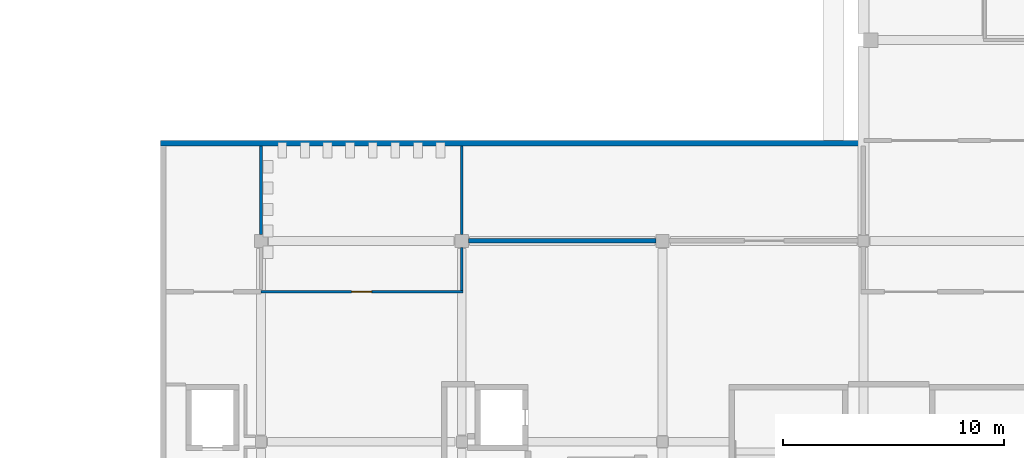
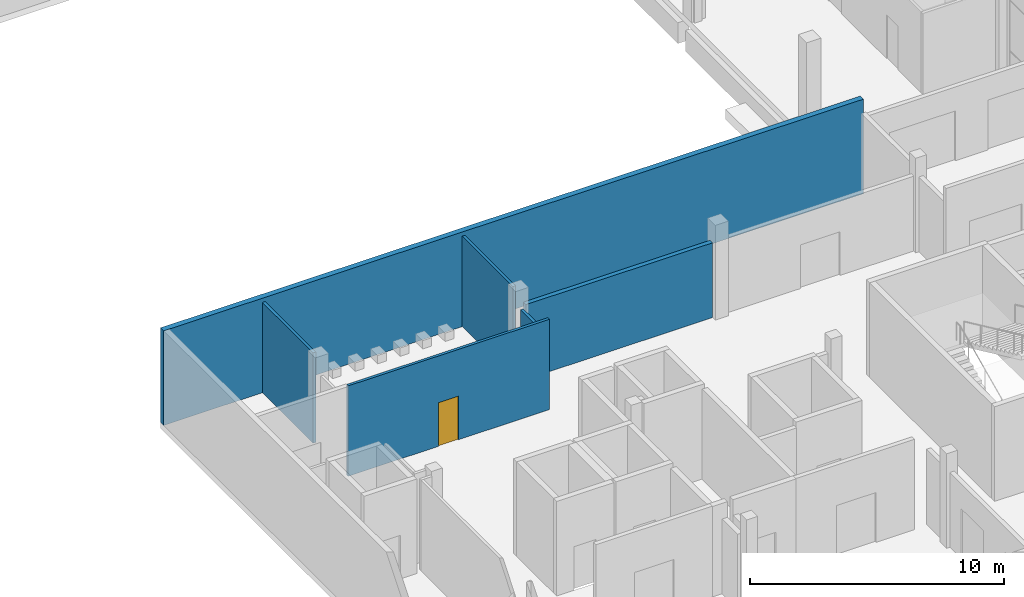
# One storey, part 46 of 91: 6 walls, 1 door, 1 opening.
"""IFC4 building model written with IfcOpenShell, lengths in metres."""

from ifc_helpers import new_model, si_unit, direction, frame, frame_2d, origin, place, context, subcontext, project, spatial, rectangle, extrude, material, layer, layer_set, type_object, element, fill, save


model = new_model("IFC4")

# Units and contexts
model_context = context("Model", 3, precision=1e-05, world=origin(), true_north=direction((0.0, 1.0)))
body_context = subcontext(model_context, "Body", "Model", "MODEL_VIEW")
ifc_project = project(units=[si_unit("LENGTHUNIT", "METRE"), si_unit("AREAUNIT", "SQUARE_METRE"), si_unit("VOLUMEUNIT", "CUBIC_METRE"), si_unit("PLANEANGLEUNIT", "RADIAN"), si_unit("MASSUNIT", "GRAM", prefix="KILO")], contexts=[model_context])

# Site, building, storey
site_placement = place(None, origin())
site = spatial("IfcSite", under=ifc_project, at=site_placement, CompositionType="ELEMENT")
building_placement = place(site_placement, origin())
building = spatial("IfcBuilding", under=site, at=building_placement, Name="Shirokan Park Arena", CompositionType="ELEMENT")
storey_placement = place(building_placement, frame((0.0, 0.0, 24.570068359375)))
storey = spatial("IfcBuildingStorey", under=building, at=storey_placement, Name="L05", CompositionType="ELEMENT", Elevation=24.570068359375)

# Walls
ifc_material_1 = material(Name="Gypsum board")
ifc_layer_1 = layer(ifc_material_1, 0.02490234375, Name="Gypsum board, two layers")
ifc_material_2 = material(Name="Mineral wool insulation")
ifc_layer_2 = layer(ifc_material_2, 0.14990234375, Name="Mineral wool insulation")
ifc_layer_3 = layer(ifc_material_1, 0.02490234375, Name="Gypsum board, two layers")
ifc_layer_set_1 = layer_set([ifc_layer_1, ifc_layer_2, ifc_layer_3], Name="Gypsum board, two layers + Mineral wool insulation")
wall_type_1 = type_object("IfcWallType", Name="Corridor wall 200", PredefinedType="PARTITIONING", material=ifc_layer_set_1)
wall_1_placement = place(storey_placement, frame((127.10009765625, 36.39990234375, 0.0), z_axis=(0.0, 0.0, 1.0), x_axis=(-1.0, 0.0, 0.0)))
element("IfcWall", 1, at=wall_1_placement, inside=storey, type_object=wall_type_1, Name="Corridor wall 200 L05", PredefinedType="PARTITIONING", context=body_context, shape_type="SweptSolid", body=[
    extrude(rectangle(XDim=8.5, YDim=0.199951171875, at=frame_2d((4.25, 0.0))), origin(), (0.0, 0.0, 1.0), 3.599853515625),
])
ifc_material_3 = material(Name="Concrete C35", Category="concrete")
ifc_layer_4 = layer(ifc_material_3, 0.25)
ifc_layer_set_2 = layer_set([ifc_layer_4], Name="Concrete C35 250 mm")
wall_type_2 = type_object("IfcWallType", Name="RC flank wall 250", PredefinedType="SHEAR", material=ifc_layer_set_2)
wall_2_placement = place(storey_placement, frame((104.64990234375, 40.824951171875, 0.0), z_axis=(0.0, 0.0, 1.0), x_axis=(1.0, 0.0, 0.0)))
element("IfcWall", 2, at=wall_2_placement, inside=storey, type_object=wall_type_2, Name="Flank wall E1 L05", PredefinedType="SHEAR", context=body_context, shape_type="SweptSolid", body=[
    extrude(rectangle(XDim=31.85009765625, YDim=0.25, at=frame_2d((15.925048828125, 0.0))), origin(), (0.0, 0.0, 1.0), 4.550048828125),
])
ifc_material_4 = material(Name="Ceramic tile")
ifc_layer_5 = layer(ifc_material_4, 0.010009765625, Name="Ceramic tile")
ifc_material_5 = material(Name="Cement board")
ifc_layer_6 = layer(ifc_material_5, 0.012451171875, Name="Cement board")
ifc_layer_7 = layer(ifc_material_2, 0.080078125, Name="Mineral wool insulation")
ifc_layer_8 = layer(ifc_material_5, 0.012451171875, Name="Cement board")
ifc_layer_9 = layer(ifc_material_4, 0.010009765625, Name="Ceramic tile")
ifc_layer_set_3 = layer_set([ifc_layer_5, ifc_layer_6, ifc_layer_7, ifc_layer_8, ifc_layer_9], Name="Ceramic tile + Cement board + Mineral wool insulation")
wall_type_3 = type_object("IfcWallType", Name="Wet-area wall 125", PredefinedType="PARTITIONING", material=ifc_layer_set_3)
wall_3_placement = place(storey_placement, frame((109.199951171875, 36.699951171875, 0.0), z_axis=(0.0, 0.0, 1.0), x_axis=(0.0, 1.0, 0.0)))
element("IfcWall", 3, at=wall_3_placement, inside=storey, type_object=wall_type_3, Name="Wet-area wall 125 L05", PredefinedType="PARTITIONING", context=body_context, shape_type="SweptSolid", body=[
    extrude(rectangle(XDim=4.0, YDim=0.125, at=frame_2d((2.0, 0.0))), origin(), (0.0, 0.0, 1.0), 4.349853515625),
])
wall_4_placement = place(storey_placement, frame((118.300048828125, 36.10009765625, 0.0), z_axis=(0.0, 0.0, 1.0), x_axis=(0.0, -1.0, 0.0)))
element("IfcWall", 4, at=wall_4_placement, inside=storey, type_object=wall_type_3, Name="Wet-area wall 125 L05", PredefinedType="PARTITIONING", context=body_context, shape_type="SweptSolid", body=[
    extrude(rectangle(XDim=1.9375, YDim=0.125, at=frame_2d((0.96875, 0.0))), origin(), (0.0, 0.0, 1.0), 3.599853515625),
])
wall_5_placement = place(storey_placement, frame((118.300048828125, 36.699951171875, 0.0), z_axis=(0.0, 0.0, 1.0), x_axis=(0.0, 1.0, 0.0)))
element("IfcWall", 5, at=wall_5_placement, inside=storey, type_object=wall_type_3, Name="Wet-area wall 125 L05", PredefinedType="PARTITIONING", context=body_context, shape_type="SweptSolid", body=[
    extrude(rectangle(XDim=4.0, YDim=0.125, at=frame_2d((2.0, 0.0))), origin(), (0.0, 0.0, 1.0), 4.349853515625),
])

# Wall, opening, door
wall_6_placement = place(storey_placement, frame((118.362548828125, 34.10009765625, 0.0), z_axis=(0.0, 0.0, 1.0), x_axis=(-1.0, 0.0, 0.0)))
wall_6 = element("IfcWall", 6, at=wall_6_placement, inside=storey, type_object=wall_type_3, Name="Wet-area wall 125 L05", PredefinedType="PARTITIONING", context=body_context, shape_type="SweptSolid", body=[
    extrude(rectangle(XDim=9.16259765625, YDim=0.125, at=frame_2d((4.581298828125, 0.0))), origin(), (0.0, 0.0, 1.0), 4.349853515625),
])
opening_placement = place(wall_6_placement, frame((4.14990234375, 0.0, 0.0)))
opening = element("IfcOpeningElement", 7, at=opening_placement, cuts=wall_6, Name="Opening D-5021", PredefinedType="OPENING", context=body_context, shape_type="SweptSolid", body=[
    extrude(rectangle(XDim=0.89990234375, YDim=2.10009765625, at=frame_2d((0.449951171875, 1.050048828125))), frame((0.0, 0.072509765625, 0.0), z_axis=(0.0, -1.0, 0.0), x_axis=(1.0, 0.0, 0.0)), (0.0, 0.0, 1.0), 0.14501953125),
])
ifc_material_6 = material(Name="Timber door set, fire resisting", Category="wood")
door_type = type_object("IfcDoorType", Name="Door 900 x 2100", OperationType="SINGLE_SWING_LEFT", PredefinedType="DOOR", material=ifc_material_6)
door_placement = place(opening_placement, origin())
door = element("IfcDoor", 8, at=door_placement, inside=storey, type_object=door_type, Name="Door to Men's WC 5.22 D-5021", OperationType="SINGLE_SWING_RIGHT", OverallHeight=2.10009765625, OverallWidth=0.89990234375, PredefinedType="DOOR", context=body_context, shape_type="SweptSolid", body=[
    extrude(rectangle(XDim=0.89990234375, YDim=2.10009765625, at=frame_2d((0.449951171875, 1.050048828125))), frame((0.0, 0.02490234375, 0.0), z_axis=(0.0, -1.0, 0.0), x_axis=(1.0, 0.0, 0.0)), (0.0, 0.0, 1.0), 0.050048828125),
])
fill(opening, door)

save(model, "model.ifc")
